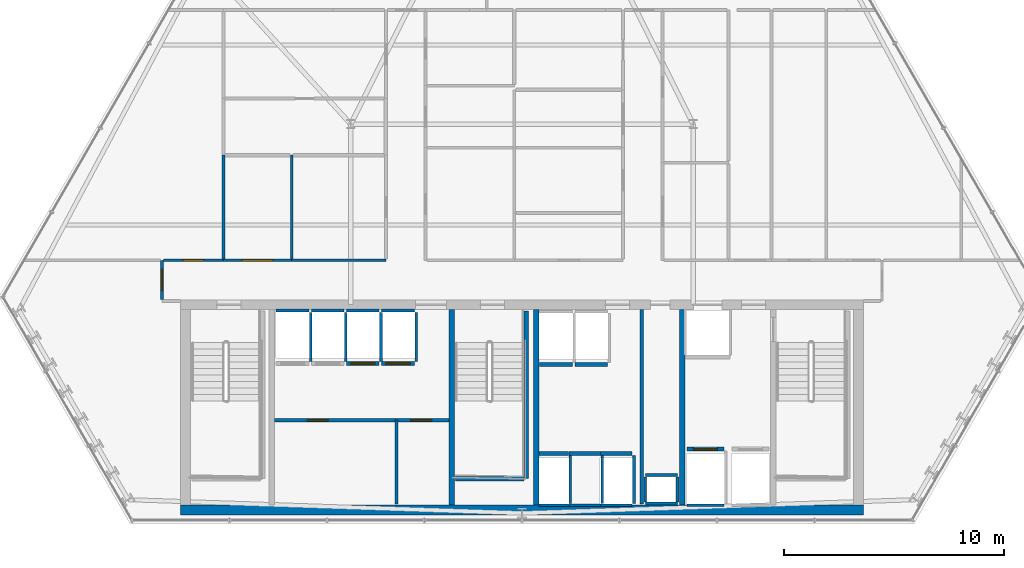
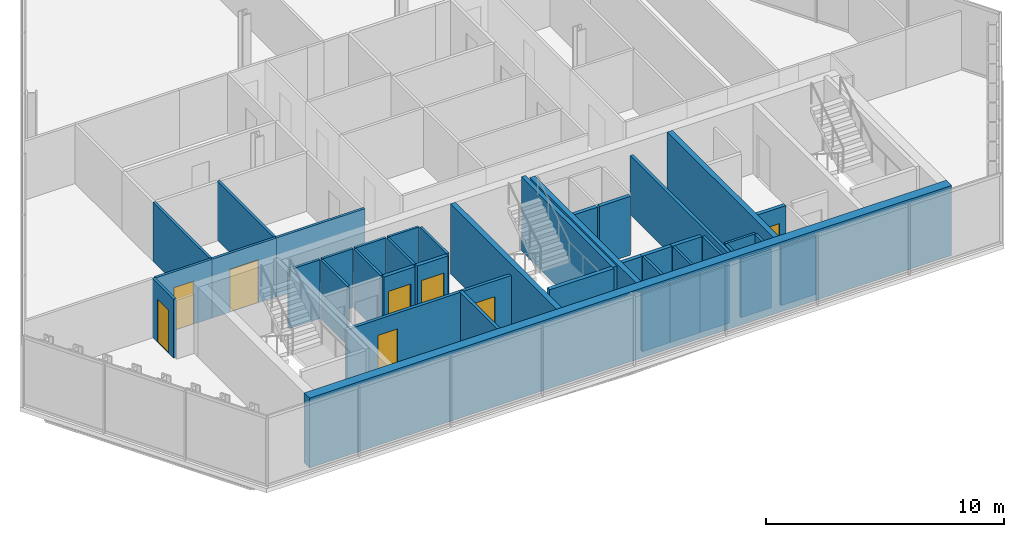
# One storey, part 25 of 31: 42 walls, 8 doors, 8 openings.
"""IFC4 building model written with IfcOpenShell, lengths in metres."""

from ifc_helpers import new_model, si_unit, direction, frame, frame_2d, origin, place, context, subcontext, project, spatial, rectangle, extrude, material, layer, layer_set, type_object, element, fill, save


model = new_model("IFC4")

# Units and contexts
model_context = context("Model", 3, precision=1e-05, world=origin(), true_north=direction((0.0, 1.0)))
body_context = subcontext(model_context, "Body", "Model", "MODEL_VIEW")
ifc_project = project(units=[si_unit("LENGTHUNIT", "METRE"), si_unit("AREAUNIT", "SQUARE_METRE"), si_unit("VOLUMEUNIT", "CUBIC_METRE"), si_unit("PLANEANGLEUNIT", "RADIAN"), si_unit("MASSUNIT", "GRAM", prefix="KILO")], contexts=[model_context])

# Site, building, storey
site_placement = place(None, origin())
site = spatial("IfcSite", under=ifc_project, at=site_placement, CompositionType="ELEMENT")
building_placement = place(site_placement, origin())
building = spatial("IfcBuilding", under=site, at=building_placement, Name="Ndaravel Arena Tower", CompositionType="ELEMENT")
storey_placement = place(building_placement, frame((0.0, 0.0, 142.199951171875)))
storey = spatial("IfcBuildingStorey", under=building, at=storey_placement, Name="L33", CompositionType="ELEMENT", Elevation=142.199951171875)

# Wall
ifc_material_1 = material(Name="Gypsum", Category="gypsum")
ifc_layer_1 = layer(ifc_material_1, 0.14990234375)
ifc_layer_set_1 = layer_set([ifc_layer_1], Name="Gypsum")
wall_type_1 = type_object("IfcWallType", Name="WALL-COMP-150", PredefinedType="PARTITIONING", material=ifc_layer_set_1)
wall_1_placement = place(storey_placement, frame((47.449951171875, 5.89990234375, 0.0), z_axis=(0.0, 0.0, 1.0), x_axis=(0.0, 1.0, 0.0)))
element("IfcWall", 1, at=wall_1_placement, inside=storey, type_object=wall_type_1, Name="L33 Core Riser Bay Partition", PredefinedType="PARTITIONING", context=body_context, shape_type="SweptSolid", body=[
    extrude(rectangle(XDim=8.85009765625, YDim=0.14990234375, at=frame_2d((4.425048828125, 0.0))), origin(), (0.0, 0.0, 1.0), 3.010498046875),
])

# Wall, openings, doors
wall_2_placement = place(storey_placement, frame((30.719970703125, 9.719970703125, 0.0), z_axis=(0.0, 0.0, 1.0), x_axis=(1.0, 0.0, 0.0)))
wall_2 = element("IfcWall", 2, at=wall_2_placement, inside=storey, type_object=wall_type_1, Name="L33 Reclaimed Shaft Partition", PredefinedType="PARTITIONING", context=body_context, shape_type="SweptSolid", body=[
    extrude(rectangle(XDim=7.9599609375, YDim=0.14990234375, at=frame_2d((3.97998046875, 0.0))), origin(), (0.0, 0.0, 1.0), 3.010498046875),
])
opening_1_placement = place(wall_2_placement, frame((1.5, 0.0, 0.0)))
opening_1 = element("IfcOpeningElement", 3, at=opening_1_placement, cuts=wall_2, Name="Opening FD-03", PredefinedType="OPENING", context=body_context, shape_type="SweptSolid", body=[
    extrude(rectangle(XDim=0.949951171875, YDim=2.199951171875, at=frame_2d((0.47509765625, 1.10009765625))), frame((0.0, 0.074951171875, 0.0), z_axis=(0.0, -1.0, 0.0), x_axis=(1.0, 0.0, 0.0)), (0.0, 0.0, 1.0), 0.14990234375),
])
opening_2_placement = place(wall_2_placement, frame((6.2099609375, 0.0, 0.0)))
opening_2 = element("IfcOpeningElement", 4, at=opening_2_placement, cuts=wall_2, Name="Opening FD-03", PredefinedType="OPENING", context=body_context, shape_type="SweptSolid", body=[
    extrude(rectangle(XDim=0.949951171875, YDim=2.199951171875, at=frame_2d((0.47509765625, 1.10009765625))), frame((0.0, 0.074951171875, 0.0), z_axis=(0.0, -1.0, 0.0), x_axis=(1.0, 0.0, 0.0)), (0.0, 0.0, 1.0), 0.14990234375),
])
ifc_material_2 = material(Name="Steel S355", Category="steel")
door_type_1 = type_object("IfcDoorType", Name="DT-11-CORE-950", OperationType="SINGLE_SWING_LEFT", PredefinedType="DOOR", material=ifc_material_2)
door_1_placement = place(opening_1_placement, origin())
door_1 = element("IfcDoor", 5, at=door_1_placement, inside=storey, type_object=door_type_1, Name="L33 ICT Server Room Door", OperationType="SINGLE_SWING_LEFT", OverallHeight=2.199951171875, OverallWidth=0.949951171875, PredefinedType="DOOR", context=body_context, shape_type="SweptSolid", body=[
    extrude(rectangle(XDim=0.949951171875, YDim=2.199951171875, at=frame_2d((0.47509765625, 1.10009765625))), frame((0.0, 0.02490234375, 0.0), z_axis=(0.0, -1.0, 0.0), x_axis=(1.0, 0.0, 0.0)), (0.0, 0.0, 1.0), 0.050048828125),
])
fill(opening_1, door_1)
door_2_placement = place(opening_2_placement, origin())
door_2 = element("IfcDoor", 6, at=door_2_placement, inside=storey, type_object=door_type_1, Name="L33 Core Archive Room Door", OperationType="SINGLE_SWING_RIGHT", OverallHeight=2.199951171875, OverallWidth=0.949951171875, PredefinedType="DOOR", context=body_context, shape_type="SweptSolid", body=[
    extrude(rectangle(XDim=0.949951171875, YDim=2.199951171875, at=frame_2d((0.47509765625, 1.10009765625))), frame((0.0, 0.02490234375, 0.0), z_axis=(0.0, -1.0, 0.0), x_axis=(1.0, 0.0, 0.0)), (0.0, 0.0, 1.0), 0.050048828125),
])
fill(opening_2, door_2)

# Walls
wall_3_placement = place(storey_placement, frame((36.280029296875, 5.89990234375, 0.0), z_axis=(0.0, 0.0, 1.0), x_axis=(0.0, 1.0, 0.0)))
element("IfcWall", 7, at=wall_3_placement, inside=storey, type_object=wall_type_1, Name="L33 Reclaimed Bay Divider", PredefinedType="PARTITIONING", context=body_context, shape_type="SweptSolid", body=[
    extrude(rectangle(XDim=3.820068359375, YDim=0.14990234375, at=frame_2d((1.91015625, 0.0))), origin(), (0.0, 0.0, 1.0), 3.010498046875),
])
ifc_material_3 = material(Name="Concrete C60/75", Category="concrete")
ifc_layer_2 = layer(ifc_material_3, 0.25)
ifc_layer_set_2 = layer_set([ifc_layer_2], Name="Concrete C60/75")
wall_type_2 = type_object("IfcWallType", Name="WALL-CORE-250", PredefinedType="SOLIDWALL", material=ifc_layer_set_2)
for number, where, z_axis, x_axis, name in (
    (8, (38.800048828125, 5.85009765625, 0.0), (0.0, 0.0, 1.0), (0.0, 1.0, 0.0), "L33 Core Web Shear Wall 2"),
    (9, (42.64990234375, 5.85009765625, 0.0), (0.0, 0.0, 1.0), (0.0, 1.0, 0.0), "L33 Core Web Shear Wall 3"),
    (10, (49.300048828125, 5.85009765625, 0.0), (0.0, 0.0, 1.0), (0.0, 1.0, 0.0), "L33 Core Web Shear Wall 4"),
):
    element("IfcWall", number, at=place(storey_placement, frame(where, z_axis=z_axis, x_axis=x_axis)), inside=storey, type_object=wall_type_2, Name=name, PredefinedType="SOLIDWALL", context=body_context, shape_type="SweptSolid", body=[
        extrude(rectangle(XDim=8.89990234375, YDim=0.25, at=frame_2d((4.449951171875, 0.0))), origin(), (0.0, 0.0, 1.0), 3.580078125),
    ])
ifc_material_4 = material(Name="Concrete C60/75", Category="concrete")
ifc_layer_3 = layer(ifc_material_4, 0.449951171875)
ifc_layer_set_3 = layer_set([ifc_layer_3], Name="Concrete C60/75")
wall_type_3 = type_object("IfcWallType", Name="WALL-CORE-450", PredefinedType="SOLIDWALL", material=ifc_layer_set_3)
wall_4_placement = place(storey_placement, frame((26.449951171875, 5.625, 0.0), z_axis=(0.0, 0.0, 1.0), x_axis=(1.0, 0.0, 0.0)))
element("IfcWall", 11, at=wall_4_placement, inside=storey, type_object=wall_type_3, Name="L33 Core South Shear Wall", PredefinedType="SOLIDWALL", context=body_context, shape_type="SweptSolid", body=[
    extrude(rectangle(XDim=31.10009765625, YDim=0.449951171875, at=frame_2d((15.550048828125, 0.0))), origin(), (0.0, 0.0, 1.0), 3.580078125),
])

# Wall, opening, door
ifc_material_5 = material(Name="Gypsum", Category="gypsum")
ifc_layer_4 = layer(ifc_material_5, 0.125)
ifc_layer_set_4 = layer_set([ifc_layer_4], Name="Gypsum")
wall_type_4 = type_object("IfcWallType", Name="WALL-PART-125", PredefinedType="PARTITIONING", material=ifc_layer_set_4)
wall_5_placement = place(storey_placement, frame((25.60009765625, 15.215087890625, 0.0), z_axis=(0.0, 0.0, 1.0), x_axis=(0.0, 1.0, 0.0)))
wall_5 = element("IfcWall", 12, at=wall_5_placement, inside=storey, type_object=wall_type_4, Name="L33 Interior Partition 004", PredefinedType="PARTITIONING", context=body_context, shape_type="SweptSolid", body=[
    extrude(rectangle(XDim=1.784912109375, YDim=0.125, at=frame_2d((0.892578125, 0.0))), origin(), (0.0, 0.0, 1.0), 3.010498046875),
])
opening_3_placement = place(wall_5_placement, frame((0.41748046875, 0.0, 0.0)))
opening_3 = element("IfcOpeningElement", 13, at=opening_3_placement, cuts=wall_5, Name="Opening ID-01", PredefinedType="OPENING", context=body_context, shape_type="SweptSolid", body=[
    extrude(rectangle(XDim=0.949951171875, YDim=2.199951171875, at=frame_2d((0.47509765625, 1.10009765625))), frame((0.0, 0.0625, 0.0), z_axis=(0.0, -1.0, 0.0), x_axis=(1.0, 0.0, 0.0)), (0.0, 0.0, 1.0), 0.125),
])
ifc_material_6 = material(Name="Timber", Category="wood")
door_type_2 = type_object("IfcDoorType", Name="DT-03-OFFICE-950", OperationType="SINGLE_SWING_LEFT", PredefinedType="DOOR", material=ifc_material_6)
door_3_placement = place(opening_3_placement, origin())
door_3 = element("IfcDoor", 14, at=door_3_placement, inside=storey, type_object=door_type_2, Name="L33 Executive Boardroom Door", OperationType="SINGLE_SWING_RIGHT", OverallHeight=2.199951171875, OverallWidth=0.949951171875, PredefinedType="DOOR", context=body_context, shape_type="SweptSolid", body=[
    extrude(rectangle(XDim=0.949951171875, YDim=2.199951171875, at=frame_2d((0.47509765625, 1.10009765625))), frame((0.0, 0.02490234375, 0.0), z_axis=(0.0, -1.0, 0.0), x_axis=(1.0, 0.0, 0.0)), (0.0, 0.0, 1.0), 0.050048828125),
])
fill(opening_3, door_3)

wall_6_placement = place(storey_placement, frame((25.6650390625, 17.0, 0.0), z_axis=(0.0, 0.0, 1.0), x_axis=(1.0, 0.0, 0.0)))
wall_6 = element("IfcWall", 15, at=wall_6_placement, inside=storey, type_object=wall_type_4, Name="L33 Interior Partition 005", PredefinedType="PARTITIONING", context=body_context, shape_type="SweptSolid", body=[
    extrude(rectangle(XDim=2.73486328125, YDim=0.125, at=frame_2d((1.367431640625, 0.0))), origin(), (0.0, 0.0, 1.0), 3.010498046875),
])
opening_4_placement = place(wall_6_placement, frame((0.892578125, 0.0, 0.0)))
opening_4 = element("IfcOpeningElement", 16, at=opening_4_placement, cuts=wall_6, Name="Opening ID-01", PredefinedType="OPENING", context=body_context, shape_type="SweptSolid", body=[
    extrude(rectangle(XDim=0.949951171875, YDim=2.199951171875, at=frame_2d((0.47509765625, 1.10009765625))), frame((0.0, 0.0625, 0.0), z_axis=(0.0, -1.0, 0.0), x_axis=(1.0, 0.0, 0.0)), (0.0, 0.0, 1.0), 0.125),
])
door_4_placement = place(opening_4_placement, origin())
door_4 = element("IfcDoor", 17, at=door_4_placement, inside=storey, type_object=door_type_2, Name="L33 Training Classroom 4 Door", OperationType="SINGLE_SWING_RIGHT", OverallHeight=2.199951171875, OverallWidth=0.949951171875, PredefinedType="DOOR", context=body_context, shape_type="SweptSolid", body=[
    extrude(rectangle(XDim=0.949951171875, YDim=2.199951171875, at=frame_2d((0.47509765625, 1.10009765625))), frame((0.0, 0.02490234375, 0.0), z_axis=(0.0, -1.0, 0.0), x_axis=(1.0, 0.0, 0.0)), (0.0, 0.0, 1.0), 0.050048828125),
])
fill(opening_4, door_4)

wall_7_placement = place(storey_placement, frame((28.39990234375, 17.0, 0.0), z_axis=(0.0, 0.0, 1.0), x_axis=(1.0, 0.0, 0.0)))
wall_7 = element("IfcWall", 18, at=wall_7_placement, inside=storey, type_object=wall_type_4, Name="L33 Interior Partition 006", PredefinedType="PARTITIONING", context=body_context, shape_type="SweptSolid", body=[
    extrude(rectangle(XDim=3.108154296875, YDim=0.125, at=frame_2d((1.55419921875, 0.0))), origin(), (0.0, 0.0, 1.0), 3.010498046875),
])
opening_5_placement = place(wall_7_placement, frame((0.85400390625, 0.0, 0.0)))
opening_5 = element("IfcOpeningElement", 19, at=opening_5_placement, cuts=wall_7, Name="Opening ID-02", PredefinedType="OPENING", context=body_context, shape_type="SweptSolid", body=[
    extrude(rectangle(XDim=1.39990234375, YDim=2.199951171875, at=frame_2d((0.699951171875, 1.10009765625))), frame((0.0, 0.0625, 0.0), z_axis=(0.0, -1.0, 0.0), x_axis=(1.0, 0.0, 0.0)), (0.0, 0.0, 1.0), 0.125),
])
ifc_material_7 = material(Name="Timber", Category="wood")
door_type_3 = type_object("IfcDoorType", Name="DT-04-SUITE-1400", OperationType="DOUBLE_DOOR_SINGLE_SWING", PredefinedType="DOOR", material=ifc_material_7)
door_5_placement = place(opening_5_placement, origin())
door_5 = element("IfcDoor", 20, at=door_5_placement, inside=storey, type_object=door_type_3, Name="L33 Client Conference Room 2 Door", OperationType="SINGLE_SWING_RIGHT", OverallHeight=2.199951171875, OverallWidth=1.39990234375, PredefinedType="DOOR", context=body_context, shape_type="SweptSolid", body=[
    extrude(rectangle(XDim=1.39990234375, YDim=2.199951171875, at=frame_2d((0.699951171875, 1.10009765625))), frame((0.0, 0.02490234375, 0.0), z_axis=(0.0, -1.0, 0.0), x_axis=(1.0, 0.0, 0.0)), (0.0, 0.0, 1.0), 0.050048828125),
])
fill(opening_5, door_5)

# Walls
wall_8_placement = place(storey_placement, frame((31.508056640625, 17.0, 0.0), z_axis=(0.0, 0.0, 1.0), x_axis=(1.0, 0.0, 0.0)))
element("IfcWall", 21, at=wall_8_placement, inside=storey, type_object=wall_type_4, Name="L33 Interior Partition 007", PredefinedType="PARTITIONING", context=body_context, shape_type="SweptSolid", body=[
    extrude(rectangle(XDim=4.2919921875, YDim=0.125, at=frame_2d((2.14599609375, 0.0))), origin(), (0.0, 0.0, 1.0), 3.010498046875),
])
for number, where, z_axis, x_axis, name in (
    (22, (31.508056640625, 21.7880859375, 0.0), (0.0, 0.0, 1.0), (0.0, -1.0, 0.0), "L33 Interior Partition 036"),
    (23, (28.39990234375, 17.06494140625, 0.0), (0.0, 0.0, 1.0), (0.0, 1.0, 0.0), "L33 Interior Partition 037"),
):
    element("IfcWall", number, at=place(storey_placement, frame(where, z_axis=z_axis, x_axis=x_axis)), inside=storey, type_object=wall_type_4, Name=name, PredefinedType="PARTITIONING", context=body_context, shape_type="SweptSolid", body=[
        extrude(rectangle(XDim=4.72314453125, YDim=0.125, at=frame_2d((2.361572265625, 0.0))), origin(), (0.0, 0.0, 1.0), 3.010498046875),
    ])
ifc_material_8 = material(Name="Concrete C40/50", Category="concrete")
ifc_layer_5 = layer(ifc_material_8, 0.1201171875)
ifc_layer_set_5 = layer_set([ifc_layer_5], Name="Concrete C40/50")
wall_type_5 = type_object("IfcWallType", Name="WALL-SHAFT-120", PredefinedType="SOLIDWALL", material=ifc_layer_set_5)
for number, where, z_axis, x_axis, name in (
    (24, (47.6201171875, 5.919921875, 0.0), (0.0, 0.0, 1.0), (1.0, 0.0, 0.0), "L33 MEP Riser Shaft S Wall"),
    (25, (47.6201171875, 7.219970703125, 0.0), (0.0, 0.0, 1.0), (1.0, 0.0, 0.0), "L33 MEP Riser Shaft N Wall"),
):
    element("IfcWall", number, at=place(storey_placement, frame(where, z_axis=z_axis, x_axis=x_axis)), inside=storey, type_object=wall_type_5, Name=name, PredefinedType="SOLIDWALL", context=body_context, shape_type="SweptSolid", body=[
        extrude(rectangle(XDim=1.4599609375, YDim=0.1201171875, at=frame_2d((0.72998046875, 0.0))), origin(), (0.0, 0.0, 1.0), 3.010498046875),
    ])
for number, where, z_axis, x_axis, name in (
    (26, (47.6201171875, 6.0, 0.0), (0.0, 0.0, 1.0), (0.0, 1.0, 0.0), "L33 MEP Riser Shaft W Wall"),
    (27, (49.080078125, 6.0, 0.0), (0.0, 0.0, 1.0), (0.0, 1.0, 0.0), "L33 MEP Riser Shaft E Wall"),
):
    element("IfcWall", number, at=place(storey_placement, frame(where, z_axis=z_axis, x_axis=x_axis)), inside=storey, type_object=wall_type_5, Name=name, PredefinedType="SOLIDWALL", context=body_context, shape_type="SweptSolid", body=[
        extrude(rectangle(XDim=1.139892578125, YDim=0.1201171875, at=frame_2d((0.56982421875, 0.0))), origin(), (0.0, 0.0, 1.0), 3.010498046875),
    ])
wall_9_placement = place(storey_placement, frame((30.804931640625, 14.7099609375, 0.0), z_axis=(0.0, 0.0, 1.0), x_axis=(1.0, 0.0, 0.0)))
element("IfcWall", 28, at=wall_9_placement, inside=storey, type_object=wall_type_5, Name="L33 PL-M1 Shaft Rear Wall", PredefinedType="SOLIDWALL", context=body_context, shape_type="SweptSolid", body=[
    extrude(rectangle(XDim=1.489990234375, YDim=0.1201171875, at=frame_2d((0.7451171875, 0.0))), origin(), (0.0, 0.0, 1.0), 3.010498046875),
])
wall_10_placement = place(storey_placement, frame((32.375, 12.389892578125, 0.0), z_axis=(0.0, 0.0, 1.0), x_axis=(0.0, 1.0, 0.0)))
element("IfcWall", 29, at=wall_10_placement, inside=storey, type_object=wall_type_5, Name="L33 PL-M1 Shaft Side R Wall", PredefinedType="SOLIDWALL", context=body_context, shape_type="SweptSolid", body=[
    extrude(rectangle(XDim=2.230224609375, YDim=0.1201171875, at=frame_2d((1.115234375, 0.0))), origin(), (0.0, 0.0, 1.0), 3.010498046875),
])
wall_11_placement = place(storey_placement, frame((32.405029296875, 14.7099609375, 0.0), z_axis=(0.0, 0.0, 1.0), x_axis=(1.0, 0.0, 0.0)))
element("IfcWall", 30, at=wall_11_placement, inside=storey, type_object=wall_type_5, Name="L33 PL-M2 Shaft Rear Wall", PredefinedType="SOLIDWALL", context=body_context, shape_type="SweptSolid", body=[
    extrude(rectangle(XDim=1.489990234375, YDim=0.1201171875, at=frame_2d((0.7451171875, 0.0))), origin(), (0.0, 0.0, 1.0), 3.010498046875),
])
wall_12_placement = place(storey_placement, frame((33.97509765625, 12.389892578125, 0.0), z_axis=(0.0, 0.0, 1.0), x_axis=(0.0, 1.0, 0.0)))
element("IfcWall", 31, at=wall_12_placement, inside=storey, type_object=wall_type_5, Name="L33 PL-M2 Shaft Side R Wall", PredefinedType="SOLIDWALL", context=body_context, shape_type="SweptSolid", body=[
    extrude(rectangle(XDim=2.230224609375, YDim=0.1201171875, at=frame_2d((1.115234375, 0.0))), origin(), (0.0, 0.0, 1.0), 3.010498046875),
])
wall_13_placement = place(storey_placement, frame((34.0048828125, 14.7099609375, 0.0), z_axis=(0.0, 0.0, 1.0), x_axis=(1.0, 0.0, 0.0)))
element("IfcWall", 32, at=wall_13_placement, inside=storey, type_object=wall_type_5, Name="L33 PL-M3 Shaft Rear Wall", PredefinedType="SOLIDWALL", context=body_context, shape_type="SweptSolid", body=[
    extrude(rectangle(XDim=1.490234375, YDim=0.1201171875, at=frame_2d((0.7451171875, 0.0))), origin(), (0.0, 0.0, 1.0), 3.010498046875),
])
wall_14_placement = place(storey_placement, frame((35.574951171875, 12.389892578125, 0.0), z_axis=(0.0, 0.0, 1.0), x_axis=(0.0, 1.0, 0.0)))
element("IfcWall", 33, at=wall_14_placement, inside=storey, type_object=wall_type_5, Name="L33 PL-M3 Shaft Side R Wall", PredefinedType="SOLIDWALL", context=body_context, shape_type="SweptSolid", body=[
    extrude(rectangle(XDim=2.230224609375, YDim=0.1201171875, at=frame_2d((1.115234375, 0.0))), origin(), (0.0, 0.0, 1.0), 3.010498046875),
])
wall_15_placement = place(storey_placement, frame((35.60498046875, 14.7099609375, 0.0), z_axis=(0.0, 0.0, 1.0), x_axis=(1.0, 0.0, 0.0)))
element("IfcWall", 34, at=wall_15_placement, inside=storey, type_object=wall_type_5, Name="L33 PL-M4 Shaft Rear Wall", PredefinedType="SOLIDWALL", context=body_context, shape_type="SweptSolid", body=[
    extrude(rectangle(XDim=1.489990234375, YDim=0.1201171875, at=frame_2d((0.7451171875, 0.0))), origin(), (0.0, 0.0, 1.0), 3.010498046875),
])
wall_16_placement = place(storey_placement, frame((37.175048828125, 12.389892578125, 0.0), z_axis=(0.0, 0.0, 1.0), x_axis=(0.0, 1.0, 0.0)))
element("IfcWall", 35, at=wall_16_placement, inside=storey, type_object=wall_type_5, Name="L33 PL-M4 Shaft Side R Wall", PredefinedType="SOLIDWALL", context=body_context, shape_type="SweptSolid", body=[
    extrude(rectangle(XDim=2.230224609375, YDim=0.1201171875, at=frame_2d((1.115234375, 0.0))), origin(), (0.0, 0.0, 1.0), 3.010498046875),
])
wall_17_placement = place(storey_placement, frame((42.780029296875, 5.840087890625, 0.0), z_axis=(0.0, 0.0, 1.0), x_axis=(1.0, 0.0, 0.0)))
element("IfcWall", 36, at=wall_17_placement, inside=storey, type_object=wall_type_5, Name="L33 PL-H1 Shaft Rear Wall", PredefinedType="SOLIDWALL", context=body_context, shape_type="SweptSolid", body=[
    extrude(rectangle(XDim=1.340087890625, YDim=0.1201171875, at=frame_2d((0.669921875, 0.0))), origin(), (0.0, 0.0, 1.0), 3.010498046875),
])
wall_18_placement = place(storey_placement, frame((44.199951171875, 5.929931640625, 0.0), z_axis=(0.0, 0.0, 1.0), x_axis=(0.0, 1.0, 0.0)))
element("IfcWall", 37, at=wall_18_placement, inside=storey, type_object=wall_type_5, Name="L33 PL-H1 Shaft Side R Wall", PredefinedType="SOLIDWALL", context=body_context, shape_type="SweptSolid", body=[
    extrude(rectangle(XDim=2.18017578125, YDim=0.1201171875, at=frame_2d((1.090087890625, 0.0))), origin(), (0.0, 0.0, 1.0), 3.010498046875),
])
wall_19_placement = place(storey_placement, frame((44.1298828125, 5.840087890625, 0.0), z_axis=(0.0, 0.0, 1.0), x_axis=(1.0, 0.0, 0.0)))
element("IfcWall", 38, at=wall_19_placement, inside=storey, type_object=wall_type_5, Name="L33 PL-H2 Shaft Rear Wall", PredefinedType="SOLIDWALL", context=body_context, shape_type="SweptSolid", body=[
    extrude(rectangle(XDim=1.440185546875, YDim=0.1201171875, at=frame_2d((0.72021484375, 0.0))), origin(), (0.0, 0.0, 1.0), 3.010498046875),
])
wall_20_placement = place(storey_placement, frame((45.64990234375, 5.929931640625, 0.0), z_axis=(0.0, 0.0, 1.0), x_axis=(0.0, 1.0, 0.0)))
element("IfcWall", 39, at=wall_20_placement, inside=storey, type_object=wall_type_5, Name="L33 PL-H2 Shaft Side R Wall", PredefinedType="SOLIDWALL", context=body_context, shape_type="SweptSolid", body=[
    extrude(rectangle(XDim=2.18017578125, YDim=0.1201171875, at=frame_2d((1.090087890625, 0.0))), origin(), (0.0, 0.0, 1.0), 3.010498046875),
])
wall_21_placement = place(storey_placement, frame((45.580078125, 5.840087890625, 0.0), z_axis=(0.0, 0.0, 1.0), x_axis=(1.0, 0.0, 0.0)))
element("IfcWall", 40, at=wall_21_placement, inside=storey, type_object=wall_type_5, Name="L33 PL-H3 Shaft Rear Wall", PredefinedType="SOLIDWALL", context=body_context, shape_type="SweptSolid", body=[
    extrude(rectangle(XDim=1.43994140625, YDim=0.1201171875, at=frame_2d((0.719970703125, 0.0))), origin(), (0.0, 0.0, 1.0), 3.010498046875),
])
wall_22_placement = place(storey_placement, frame((47.10009765625, 5.929931640625, 0.0), z_axis=(0.0, 0.0, 1.0), x_axis=(0.0, 1.0, 0.0)))
element("IfcWall", 41, at=wall_22_placement, inside=storey, type_object=wall_type_5, Name="L33 PL-H3 Shaft Side R Wall", PredefinedType="SOLIDWALL", context=body_context, shape_type="SweptSolid", body=[
    extrude(rectangle(XDim=2.18017578125, YDim=0.1201171875, at=frame_2d((1.090087890625, 0.0))), origin(), (0.0, 0.0, 1.0), 3.010498046875),
])
wall_23_placement = place(storey_placement, frame((49.5048828125, 5.840087890625, 0.0), z_axis=(0.0, 0.0, 1.0), x_axis=(1.0, 0.0, 0.0)))
element("IfcWall", 42, at=wall_23_placement, inside=storey, type_object=wall_type_5, Name="L33 FFL-1 Shaft Rear Wall", PredefinedType="SOLIDWALL", context=body_context, shape_type="SweptSolid", body=[
    extrude(rectangle(XDim=1.690185546875, YDim=0.1201171875, at=frame_2d((0.84521484375, 0.0))), origin(), (0.0, 0.0, 1.0), 3.010498046875),
])
ifc_material_9 = material(Name="Concrete C40/50", Category="concrete")
ifc_layer_6 = layer(ifc_material_9, 0.199951171875)
ifc_layer_set_6 = layer_set([ifc_layer_6], Name="Concrete C40/50")
wall_type_6 = type_object("IfcWallType", Name="WALL-SHAFT-200", PredefinedType="SOLIDWALL", material=ifc_layer_set_6)
wall_24_placement = place(storey_placement, frame((42.18994140625, 14.699951171875, 0.0), z_axis=(0.0, 0.0, 1.0), x_axis=(0.0, -1.0, 0.0)))
element("IfcWall", 43, at=wall_24_placement, inside=storey, type_object=wall_type_6, Name="L33 ST-2 Structural Shaft Wall Right", PredefinedType="SOLIDWALL", context=body_context, shape_type="SweptSolid", body=[
    extrude(rectangle(XDim=7.64990234375, YDim=0.199951171875, at=frame_2d((3.824951171875, 0.0))), origin(), (0.0, 0.0, 1.0), 3.800048828125),
])
wall_25_placement = place(storey_placement, frame((38.969970703125, 7.050048828125, 0.0), z_axis=(0.0, 0.0, 1.0), x_axis=(1.0, 0.0, 0.0)))
element("IfcWall", 44, at=wall_25_placement, inside=storey, type_object=wall_type_6, Name="L33 ST-2 Structural Shaft Wall Far", PredefinedType="SOLIDWALL", context=body_context, shape_type="SweptSolid", body=[
    extrude(rectangle(XDim=3.114990234375, YDim=0.199951171875, at=frame_2d((1.5576171875, 0.0))), origin(), (0.0, 0.0, 1.0), 3.800048828125),
])

# Wall, opening, door
wall_26_placement = place(storey_placement, frame((34.0048828125, 12.300048828125, 0.0), z_axis=(0.0, 0.0, 1.0), x_axis=(1.0, 0.0, 0.0)))
wall_26 = element("IfcWall", 45, at=wall_26_placement, inside=storey, type_object=wall_type_6, Name="L33 PL-M3 Shaft Landing Wall", PredefinedType="SOLIDWALL", context=body_context, shape_type="SweptSolid", body=[
    extrude(rectangle(XDim=1.490234375, YDim=0.179931640625, at=frame_2d((0.7451171875, 0.0))), origin(), (0.0, 0.0, 1.0), 3.010498046875),
])
opening_6_placement = place(wall_26_placement, frame((0.195068359375, 0.0, 0.0)))
opening_6 = element("IfcOpeningElement", 46, at=opening_6_placement, cuts=wall_26, Name="Opening LD-01", PredefinedType="OPENING", context=body_context, shape_type="SweptSolid", body=[
    extrude(rectangle(XDim=1.10009765625, YDim=2.199951171875, at=frame_2d((0.550048828125, 1.10009765625))), frame((0.0, 0.08984375, 0.0), z_axis=(0.0, -1.0, 0.0), x_axis=(1.0, 0.0, 0.0)), (0.0, 0.0, 1.0), 0.179931640625),
])
ifc_material_10 = material(Name="Steel S355", Category="steel")
door_type_4 = type_object("IfcDoorType", Name="DT-06-LIFT-1100", OperationType="SLIDING_TO_LEFT", PredefinedType="DOOR", material=ifc_material_10)
door_6_placement = place(opening_6_placement, origin())
door_6 = element("IfcDoor", 47, at=door_6_placement, inside=storey, type_object=door_type_4, Name="L33 Lift PL-M3 Sliding Landing Door", OperationType="SLIDING_TO_LEFT", OverallHeight=2.199951171875, OverallWidth=1.10009765625, PredefinedType="DOOR", context=body_context, shape_type="SweptSolid", body=[
    extrude(rectangle(XDim=1.10009765625, YDim=2.199951171875, at=frame_2d((0.550048828125, 1.10009765625))), frame((0.0, 0.02490234375, 0.0), z_axis=(0.0, -1.0, 0.0), x_axis=(1.0, 0.0, 0.0)), (0.0, 0.0, 1.0), 0.050048828125),
])
fill(opening_6, door_6)

wall_27_placement = place(storey_placement, frame((35.60498046875, 12.300048828125, 0.0), z_axis=(0.0, 0.0, 1.0), x_axis=(1.0, 0.0, 0.0)))
wall_27 = element("IfcWall", 48, at=wall_27_placement, inside=storey, type_object=wall_type_6, Name="L33 PL-M4 Shaft Landing Wall", PredefinedType="SOLIDWALL", context=body_context, shape_type="SweptSolid", body=[
    extrude(rectangle(XDim=1.489990234375, YDim=0.179931640625, at=frame_2d((0.7451171875, 0.0))), origin(), (0.0, 0.0, 1.0), 3.010498046875),
])
opening_7_placement = place(wall_27_placement, frame((0.195068359375, 0.0, 0.0)))
opening_7 = element("IfcOpeningElement", 49, at=opening_7_placement, cuts=wall_27, Name="Opening LD-01", PredefinedType="OPENING", context=body_context, shape_type="SweptSolid", body=[
    extrude(rectangle(XDim=1.10009765625, YDim=2.199951171875, at=frame_2d((0.550048828125, 1.10009765625))), frame((0.0, 0.08984375, 0.0), z_axis=(0.0, -1.0, 0.0), x_axis=(1.0, 0.0, 0.0)), (0.0, 0.0, 1.0), 0.179931640625),
])
door_7_placement = place(opening_7_placement, origin())
door_7 = element("IfcDoor", 50, at=door_7_placement, inside=storey, type_object=door_type_4, Name="L33 Lift PL-M4 Sliding Landing Door", OperationType="SLIDING_TO_LEFT", OverallHeight=2.199951171875, OverallWidth=1.10009765625, PredefinedType="DOOR", context=body_context, shape_type="SweptSolid", body=[
    extrude(rectangle(XDim=1.10009765625, YDim=2.199951171875, at=frame_2d((0.550048828125, 1.10009765625))), frame((0.0, 0.02490234375, 0.0), z_axis=(0.0, -1.0, 0.0), x_axis=(1.0, 0.0, 0.0)), (0.0, 0.0, 1.0), 0.050048828125),
])
fill(opening_7, door_7)

# Walls
wall_28_placement = place(storey_placement, frame((42.780029296875, 8.199951171875, 0.0), z_axis=(0.0, 0.0, 1.0), x_axis=(1.0, 0.0, 0.0)))
element("IfcWall", 51, at=wall_28_placement, inside=storey, type_object=wall_type_6, Name="L33 PL-H1 Shaft Landing Wall", PredefinedType="SOLIDWALL", context=body_context, shape_type="SweptSolid", body=[
    extrude(rectangle(XDim=1.340087890625, YDim=0.179931640625, at=frame_2d((0.669921875, 0.0))), origin(), (0.0, 0.0, 1.0), 3.010498046875),
])
wall_29_placement = place(storey_placement, frame((44.1298828125, 8.199951171875, 0.0), z_axis=(0.0, 0.0, 1.0), x_axis=(1.0, 0.0, 0.0)))
element("IfcWall", 52, at=wall_29_placement, inside=storey, type_object=wall_type_6, Name="L33 PL-H2 Shaft Landing Wall", PredefinedType="SOLIDWALL", context=body_context, shape_type="SweptSolid", body=[
    extrude(rectangle(XDim=1.440185546875, YDim=0.179931640625, at=frame_2d((0.72021484375, 0.0))), origin(), (0.0, 0.0, 1.0), 3.010498046875),
])
wall_30_placement = place(storey_placement, frame((45.580078125, 8.199951171875, 0.0), z_axis=(0.0, 0.0, 1.0), x_axis=(1.0, 0.0, 0.0)))
element("IfcWall", 53, at=wall_30_placement, inside=storey, type_object=wall_type_6, Name="L33 PL-H3 Shaft Landing Wall", PredefinedType="SOLIDWALL", context=body_context, shape_type="SweptSolid", body=[
    extrude(rectangle(XDim=1.43994140625, YDim=0.179931640625, at=frame_2d((0.719970703125, 0.0))), origin(), (0.0, 0.0, 1.0), 3.010498046875),
])
for number, where, z_axis, x_axis, name in (
    (54, (42.804931640625, 12.25, 0.0), (0.0, 0.0, 1.0), (1.0, 0.0, 0.0), "L33 PL-OBS1 Shaft Landing Wall"),
    (55, (44.405029296875, 12.25, 0.0), (0.0, 0.0, 1.0), (1.0, 0.0, 0.0), "L33 PL-OBS2 Shaft Landing Wall"),
):
    element("IfcWall", number, at=place(storey_placement, frame(where, z_axis=z_axis, x_axis=x_axis)), inside=storey, type_object=wall_type_6, Name=name, PredefinedType="SOLIDWALL", context=body_context, shape_type="SweptSolid", body=[
        extrude(rectangle(XDim=1.489990234375, YDim=0.179931640625, at=frame_2d((0.7451171875, 0.0))), origin(), (0.0, 0.0, 1.0), 3.010498046875),
    ])

# Wall, opening, door
wall_31_placement = place(storey_placement, frame((49.5048828125, 8.39990234375, 0.0), z_axis=(0.0, 0.0, 1.0), x_axis=(1.0, 0.0, 0.0)))
wall_31 = element("IfcWall", 56, at=wall_31_placement, inside=storey, type_object=wall_type_6, Name="L33 FFL-1 Shaft Landing Wall", PredefinedType="SOLIDWALL", context=body_context, shape_type="SweptSolid", body=[
    extrude(rectangle(XDim=1.690185546875, YDim=0.179931640625, at=frame_2d((0.84521484375, 0.0))), origin(), (0.0, 0.0, 1.0), 3.010498046875),
])
opening_8_placement = place(wall_31_placement, frame((0.294921875, 0.0, 0.0)))
opening_8 = element("IfcOpeningElement", 57, at=opening_8_placement, cuts=wall_31, Name="Opening LD-01", PredefinedType="OPENING", context=body_context, shape_type="SweptSolid", body=[
    extrude(rectangle(XDim=1.10009765625, YDim=2.199951171875, at=frame_2d((0.550048828125, 1.10009765625))), frame((0.0, 0.08984375, 0.0), z_axis=(0.0, -1.0, 0.0), x_axis=(1.0, 0.0, 0.0)), (0.0, 0.0, 1.0), 0.179931640625),
])
door_8_placement = place(opening_8_placement, origin())
door_8 = element("IfcDoor", 58, at=door_8_placement, inside=storey, type_object=door_type_4, Name="L33 Lift FFL-1 Sliding Landing Door", OperationType="SLIDING_TO_LEFT", OverallHeight=2.199951171875, OverallWidth=1.10009765625, PredefinedType="DOOR", context=body_context, shape_type="SweptSolid", body=[
    extrude(rectangle(XDim=1.10009765625, YDim=2.199951171875, at=frame_2d((0.550048828125, 1.10009765625))), frame((0.0, 0.02490234375, 0.0), z_axis=(0.0, -1.0, 0.0), x_axis=(1.0, 0.0, 0.0)), (0.0, 0.0, 1.0), 0.050048828125),
])
fill(opening_8, door_8)

save(model, "model.ifc")
